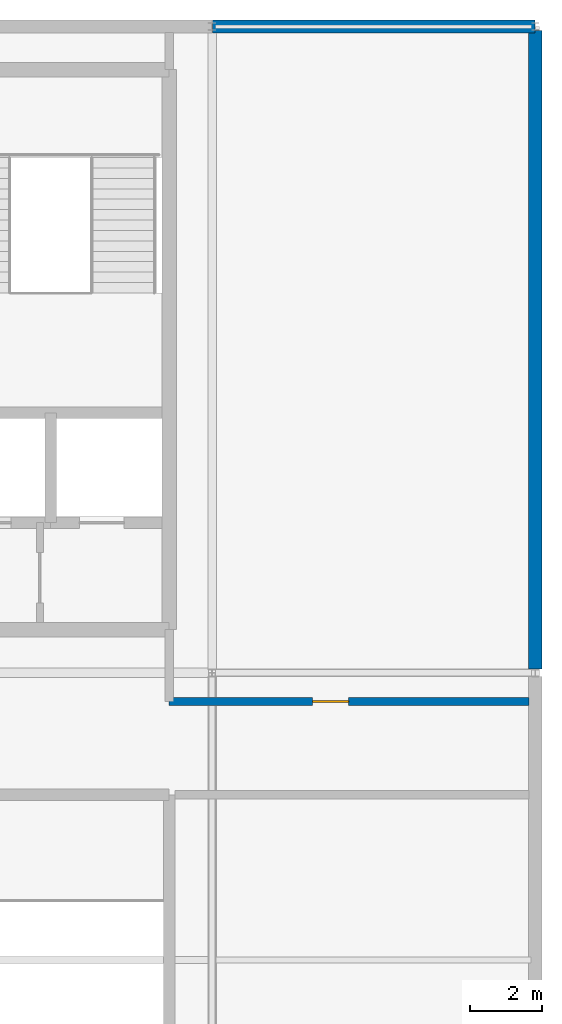
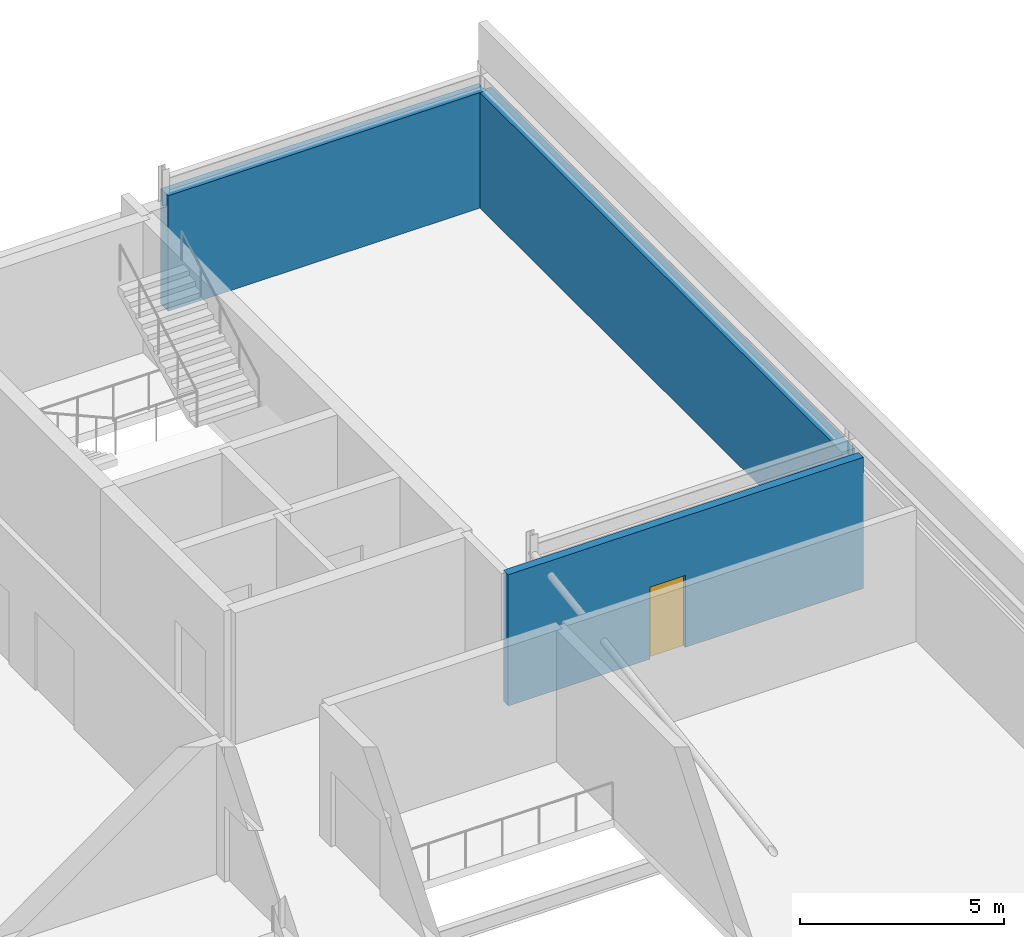
# One storey, part 19 of 23: 3 walls, 1 door, 1 opening.
"""IFC4 building model written with IfcOpenShell, lengths in metres."""

import ifcopenshell
import ifcopenshell.guid

model = None  # the IFC model being written
_history = None  # IfcOwnerHistory: only IFC2X3 demands one
_inside = {}  # id of a spatial element -> (the spatial element, [elements in it])
_under = {}  # id of a project, library or spatial element -> (it, [spatial elements below it])
_declared = {}  # id of a project -> (the project, [libraries it declares])
_typed = {}  # id of a type object -> (the type object, [elements of that type])
_made_of = {}  # id of a material, layer set ... -> (it, [elements and type objects made of it])


def new_model(schema):
    """Start an empty IFC model of exactly this schema.

    Asked for "IFC4X3", IfcOpenShell would pick the latest addendum, in which some entities
    have other attributes; the version numbers below select the first issue.
    IFC2X3 requires an IfcOwnerHistory on every rooted entity: one is made here for all.
    """
    global model, _history
    if schema == "IFC4X3":
        model = ifcopenshell.file(schema_version=(4, 3, 0, 0))
    else:
        model = ifcopenshell.file(schema=schema)
    _inside.clear()
    _under.clear()
    _declared.clear()
    _typed.clear()
    _made_of.clear()
    _history = None
    if model.schema == "IFC2X3":
        org = make("IfcOrganization", Name="unknown")
        user = make(
            "IfcPersonAndOrganization",
            ThePerson=make("IfcPerson", FamilyName="unknown"),
            TheOrganization=org,
        )
        app = make(
            "IfcApplication",
            ApplicationDeveloper=org,
            Version="unknown",
            ApplicationFullName="unknown",
            ApplicationIdentifier="unknown",
        )
        _history = make(
            "IfcOwnerHistory",
            OwningUser=user,
            OwningApplication=app,
            ChangeAction="ADDED",
            CreationDate=0,
        )
    return model


def make(cls, **values):
    """One entity of the class cls with the attributes given. An attribute that is None is left unset."""
    return model.create_entity(
        cls, **{name: value for name, value in values.items() if value is not None}
    )


def rooted(cls, **values):
    """An entity with a GlobalId (a new one), such as an element, a storey or a relation."""
    return make(cls, GlobalId=ifcopenshell.guid.new(), OwnerHistory=_history, **values)


def si_unit(unit_type, name, prefix=None):
    """IfcSIUnit, for example si_unit("LENGTHUNIT", "METRE", prefix="MILLI")."""
    return make("IfcSIUnit", UnitType=unit_type, Prefix=prefix, Name=name)


def assignment(units):
    """IfcUnitAssignment: the units of a project."""
    return None if units is None else make("IfcUnitAssignment", Units=units)


def point(xyz):
    """IfcCartesianPoint."""
    return None if xyz is None else make("IfcCartesianPoint", Coordinates=xyz)


def direction(xyz):
    """IfcDirection."""
    return None if xyz is None else make("IfcDirection", DirectionRatios=xyz)


def frame(location, z_axis=None, x_axis=None):
    """IfcAxis2Placement3D, a coordinate frame: its origin and axes. An axis left out is left unset."""
    return make(
        "IfcAxis2Placement3D",
        Location=point(location),
        Axis=direction(z_axis),
        RefDirection=direction(x_axis),
    )


def frame_2d(location, x_axis=None):
    """IfcAxis2Placement2D, a coordinate frame in the plane: its origin and x axis."""
    return make(
        "IfcAxis2Placement2D", Location=point(location), RefDirection=direction(x_axis)
    )


def origin():
    """The frame at (0, 0, 0) with its axes left unset."""
    return frame((0.0, 0.0, 0.0))


def place(relative_to, where):
    """IfcLocalPlacement: puts the frame where relative to a parent placement (None: the world)."""
    return make(
        "IfcLocalPlacement", PlacementRelTo=relative_to, RelativePlacement=where
    )


def context(
    kind, dimensions, precision=None, world=None, true_north=None, identifier=None
):
    """IfcGeometricRepresentationContext, for example the 3D "Model" context."""
    return make(
        "IfcGeometricRepresentationContext",
        ContextIdentifier=identifier,
        ContextType=kind,
        CoordinateSpaceDimension=dimensions,
        Precision=precision,
        WorldCoordinateSystem=world,
        TrueNorth=true_north,
    )


def subcontext(parent, identifier, kind, view, scale=None):
    """IfcGeometricRepresentationSubContext, for example "Body" below "Model"."""
    return make(
        "IfcGeometricRepresentationSubContext",
        ContextIdentifier=identifier,
        ContextType=kind,
        ParentContext=parent,
        TargetScale=scale,
        TargetView=view,
    )


def project(units=None, contexts=None):
    """IfcProject with its units and contexts."""
    return rooted(
        "IfcProject",
        Name="project",
        RepresentationContexts=contexts,
        UnitsInContext=assignment(units),
    )


def spatial(cls, under=None, at=None, **own):
    """A site, building, storey or space (cls), placed at a placement, below another one or the project."""
    s = rooted(cls, ObjectPlacement=at, **own)
    if under is not None:
        _under.setdefault(under.id(), (under, []))[1].append(s)
    return s


def profile(cls, at=None, kind="AREA", **sizes):
    """A parametric profile (cls). Its sizes go by their IFC names, for example OverallWidth=200.0."""
    return make(cls, ProfileType=kind, Position=at, **sizes)


def rectangle(**sizes):
    """IfcRectangleProfileDef."""
    return profile("IfcRectangleProfileDef", **sizes)


def extrude(swept, where, along, depth):
    """IfcExtrudedAreaSolid: the profile swept, set in the frame where, extruded along a direction by depth."""
    return make(
        "IfcExtrudedAreaSolid",
        SweptArea=swept,
        Position=where,
        ExtrudedDirection=direction(along),
        Depth=depth,
    )


def shape(context_of_items, identifier, shape_type, items):
    """IfcShapeRepresentation: the items that make up one representation, for example the "Body"."""
    return make(
        "IfcShapeRepresentation",
        ContextOfItems=context_of_items,
        RepresentationIdentifier=identifier,
        RepresentationType=shape_type,
        Items=items,
    )


def material(Name=None, Category=None):
    """IfcMaterial."""
    return make("IfcMaterial", Name=Name, Category=Category)


def layer(
    of_material, thickness, ventilated=None, Name=None, Category=None, Priority=None
):
    """IfcMaterialLayer: one layer of a wall or slab, of a material (None: an air gap)."""
    return make(
        "IfcMaterialLayer",
        Material=of_material,
        LayerThickness=thickness,
        IsVentilated=ventilated,
        Name=Name,
        Category=Category,
        Priority=Priority,
    )


def layer_set(layers, Name=None):
    """IfcMaterialLayerSet."""
    return make("IfcMaterialLayerSet", MaterialLayers=layers, LayerSetName=Name)


def made_of(thing, what):
    """Note that an element or type object is made of a material, layer set ...; save() writes the relation."""
    if what is not None:
        _made_of.setdefault(what.id(), (what, []))[1].append(thing)
    return thing


def type_object(cls, material=None, **own):
    """A type object (cls), such as IfcWallType, which elements share."""
    return made_of(rooted(cls, **own), material)


def element(
    cls,
    number,
    at=None,
    inside=None,
    cuts=None,
    type_object=None,
    material=None,
    context=None,
    identifier="Body",
    shape_type=None,
    held_by="IfcProductDefinitionShape",
    body=None,
    shapes=None,
    **own,
):
    """One element of the class cls, such as IfcWall. Its Tag is "e" and its number.

    at: its placement. inside: the storey or other place that contains it. cuts: it is an
    opening in that element (IfcRelVoidsElement). A single representation is given by context,
    identifier, shape_type and body (its items); several are given by shapes. held_by: the class
    of the entity that holds the representations. save() writes the other relations.
    """
    e = rooted(cls, Tag="e%d" % number, ObjectPlacement=at, **own)
    if body is not None:
        shapes = [shape(context, identifier, shape_type, body)]
    if shapes is not None:
        e.Representation = make(held_by, Representations=shapes)
    if inside is not None:
        _inside.setdefault(inside.id(), (inside, []))[1].append(e)
    if cuts is not None:
        rooted(
            "IfcRelVoidsElement", RelatingBuildingElement=cuts, RelatedOpeningElement=e
        )
    if type_object is not None:
        _typed.setdefault(type_object.id(), (type_object, []))[1].append(e)
    return made_of(e, material)


def fill(opening, filler):
    """IfcRelFillsElement: the door or window that sits in an opening."""
    return rooted(
        "IfcRelFillsElement",
        RelatingOpeningElement=opening,
        RelatedBuildingElement=filler,
    )


def aggregate(whole, parts):
    """IfcRelAggregates: a whole, such as a stair, and the parts it consists of."""
    return rooted("IfcRelAggregates", RelatingObject=whole, RelatedObjects=parts)


def save(model, path):
    """Write the relations noted so far, then the file.

    IfcRelAggregates (storeys below a building ...), IfcRelContainedInSpatialStructure (elements
    in a storey), IfcRelDefinesByType, IfcRelAssociatesMaterial and IfcRelDeclares: one each for
    every whole, place, type object, material and project.
    """
    for whole, parts in _under.values():
        aggregate(whole, parts)
    for where, things in _inside.values():
        rooted(
            "IfcRelContainedInSpatialStructure",
            RelatedElements=things,
            RelatingStructure=where,
        )
    for kind, things in _typed.values():
        rooted("IfcRelDefinesByType", RelatedObjects=things, RelatingType=kind)
    for what, things in _made_of.values():
        rooted("IfcRelAssociatesMaterial", RelatedObjects=things, RelatingMaterial=what)
    for by, libraries in _declared.values():
        rooted("IfcRelDeclares", RelatingContext=by, RelatedDefinitions=libraries)
    model.write(path)


model = new_model("IFC4")

# Units and contexts
model_context = context("Model", 3, precision=1e-05, world=origin(), true_north=direction((0.0, 1.0)))
body_context = subcontext(model_context, "Body", "Model", "MODEL_VIEW")
ifc_project = project(units=[si_unit("LENGTHUNIT", "METRE"), si_unit("AREAUNIT", "SQUARE_METRE"), si_unit("VOLUMEUNIT", "CUBIC_METRE"), si_unit("PLANEANGLEUNIT", "RADIAN"), si_unit("MASSUNIT", "GRAM", prefix="KILO")], contexts=[model_context])

# Site, building, storey
site_placement = place(None, origin())
site = spatial("IfcSite", under=ifc_project, at=site_placement, CompositionType="ELEMENT")
building_placement = place(site_placement, origin())
building = spatial("IfcBuilding", under=site, at=building_placement, Name="Kisiwana Market Hall", CompositionType="ELEMENT")
storey_placement = place(building_placement, frame((0.0, 0.0, 65.699951171875)))
storey = spatial("IfcBuildingStorey", under=building, at=storey_placement, Name="L15", CompositionType="ELEMENT", Elevation=65.699951171875)

# Walls
ifc_material_1 = material(Name="Concrete C40/50 precast", Category="concrete")
ifc_layer_1 = layer(ifc_material_1, 0.364990234375)
ifc_layer_set_1 = layer_set([ifc_layer_1], Name="WL-EXT-365")
wall_type_1 = type_object("IfcWallType", Name="WL-EXT-365", PredefinedType="STANDARD", material=ifc_layer_set_1)
wall_1_placement = place(storey_placement, frame((189.010009765625, 102.0, 0.0), z_axis=(0.0, 0.0, 1.0), x_axis=(1.0, 0.0, 0.0)))
element("IfcWall", 1, at=wall_1_placement, inside=storey, type_object=wall_type_1, Name="Exterior wall W-3440", PredefinedType="STANDARD", context=body_context, shape_type="SweptSolid", body=[
    extrude(rectangle(XDim=8.97998046875, YDim=0.364990234375, at=frame_2d((4.489990234375, 0.0))), origin(), (0.0, 0.0, 1.0), 3.447998046875),
])
wall_2_placement = place(storey_placement, frame((198.0, 84.107666015625, 0.0), z_axis=(0.0, 0.0, 1.0), x_axis=(0.0, 1.0, 0.0)))
element("IfcWall", 2, at=wall_2_placement, inside=storey, type_object=wall_type_1, Name="Exterior wall W-3456", PredefinedType="STANDARD", context=body_context, shape_type="SweptSolid", body=[
    extrude(rectangle(XDim=17.78466796875, YDim=0.364990234375, at=frame_2d((8.892333984375, 0.0))), origin(), (0.0, 0.0, 1.0), 3.447998046875),
])

# Wall, opening, door
ifc_material_2 = material(Name="Concrete C32/40", Category="concrete")
ifc_layer_2 = layer(ifc_material_2, 0.235107421875)
ifc_layer_set_2 = layer_set([ifc_layer_2], Name="WL-PART-235")
wall_type_2 = type_object("IfcWallType", Name="WL-PART-235", PredefinedType="PARTITIONING", material=ifc_layer_set_2)
wall_3_placement = place(storey_placement, frame((187.800048828125, 83.199951171875, 0.0), z_axis=(0.0, 0.0, 1.0), x_axis=(1.0, 0.0, 0.0)))
wall_3 = element("IfcWall", 3, at=wall_3_placement, inside=storey, type_object=wall_type_2, Name="Interior partition W-3486", PredefinedType="PARTITIONING", context=body_context, shape_type="SweptSolid", body=[
    extrude(rectangle(XDim=10.030029296875, YDim=0.235107421875, at=frame_2d((5.01513671875, 0.0))), origin(), (0.0, 0.0, 1.0), 3.920166015625),
])
opening_placement = place(wall_3_placement, frame((4.0, 0.0, 0.0)))
opening = element("IfcOpeningElement", 4, at=opening_placement, cuts=wall_3, Name="Opening DR-L15-038", PredefinedType="OPENING", context=body_context, shape_type="SweptSolid", body=[
    extrude(rectangle(XDim=1.0, YDim=2.14990234375, at=frame_2d((0.5, 1.074951171875))), frame((0.0, 0.12939453125, 0.0), z_axis=(0.0, -1.0, 0.0), x_axis=(1.0, 0.0, 0.0)), (0.0, 0.0, 1.0), 0.259033203125),
])
ifc_material_3 = material(Name="Aluminium alloy 6063-T6", Category="aluminium")
door_type = type_object("IfcDoorType", Name="DR-OFF-1000", OperationType="NOTDEFINED", PredefinedType="DOOR", material=ifc_material_3)
door_placement = place(opening_placement, origin())
door = element("IfcDoor", 5, at=door_placement, inside=storey, type_object=door_type, Name="L15 E Design Studio North Door", OperationType="SINGLE_SWING_LEFT", OverallHeight=2.14990234375, OverallWidth=1.0, PredefinedType="DOOR", context=body_context, shape_type="SweptSolid", body=[
    extrude(rectangle(XDim=1.0, YDim=2.14990234375, at=frame_2d((0.5, 1.074951171875))), frame((0.0, 0.02490234375, 0.0), z_axis=(0.0, -1.0, 0.0), x_axis=(1.0, 0.0, 0.0)), (0.0, 0.0, 1.0), 0.050048828125),
])
fill(opening, door)

save(model, "model.ifc")
